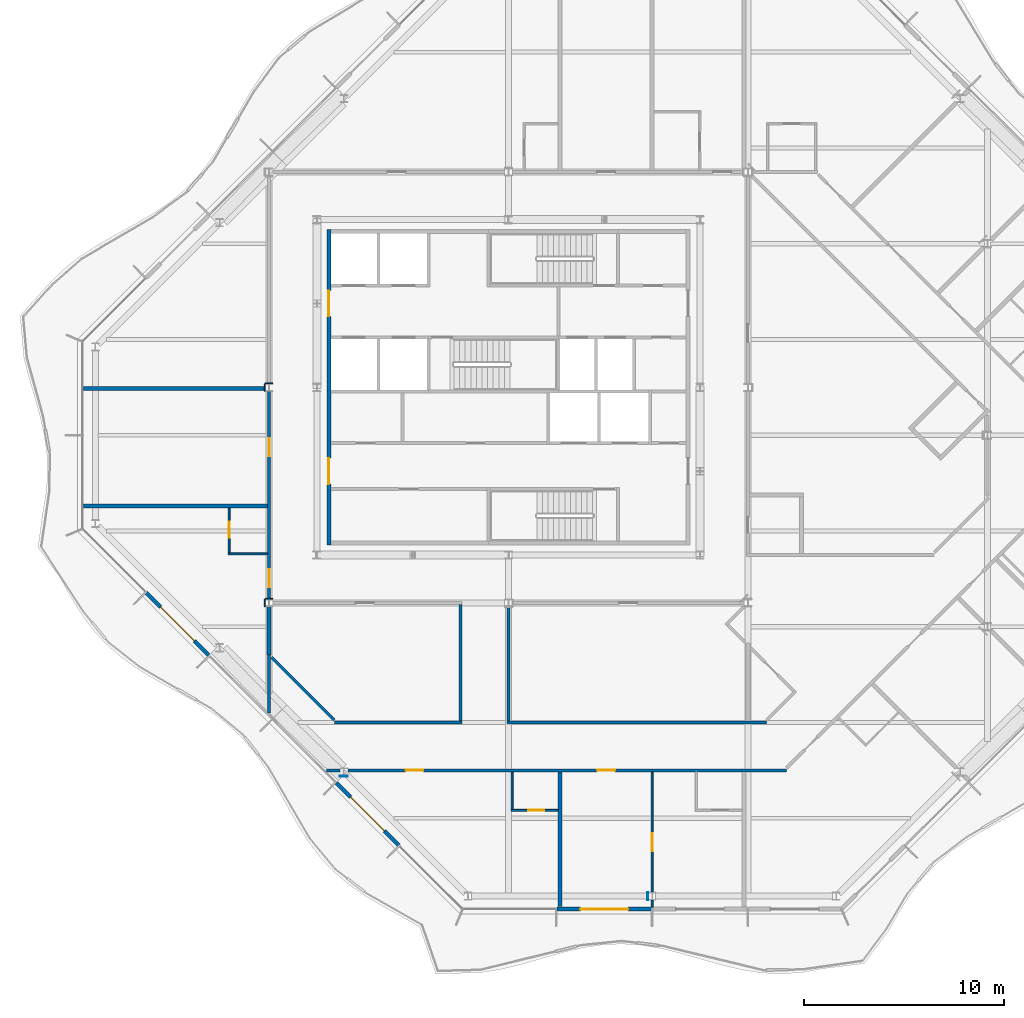
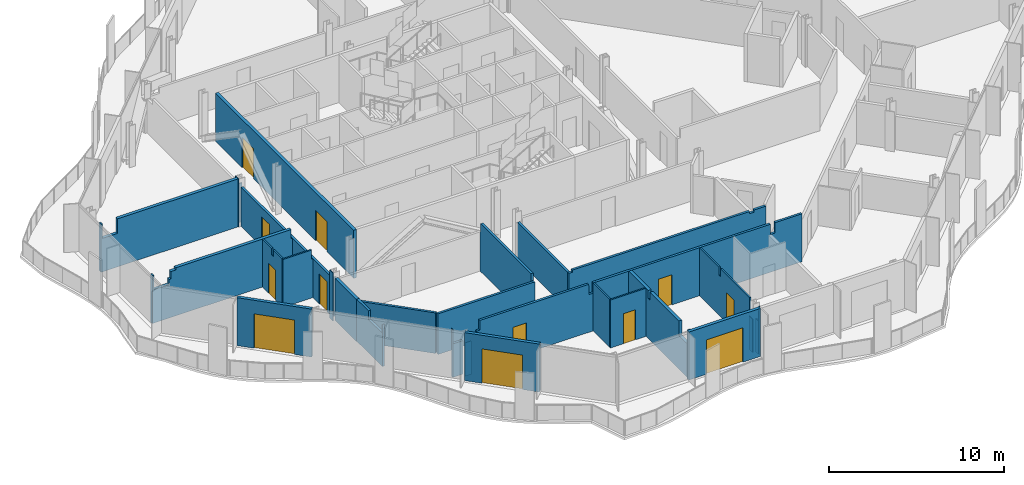
# One storey, part 7 of 17: 29 walls, 12 doors, 12 openings.
"""IFC4 building model written with IfcOpenShell, lengths in metres."""

from ifc_helpers import new_model, si_unit, direction, frame, frame_2d, origin, place, context, subcontext, project, spatial, polyline, rectangle, outline, extrude, material, layer, layer_set, type_object, element, fill, save


model = new_model("IFC4")

# Units and contexts
model_context = context("Model", 3, precision=1e-05, world=origin(), true_north=direction((0.0, 1.0)))
body_context = subcontext(model_context, "Body", "Model", "MODEL_VIEW")
ifc_project = project(units=[si_unit("LENGTHUNIT", "METRE"), si_unit("AREAUNIT", "SQUARE_METRE"), si_unit("VOLUMEUNIT", "CUBIC_METRE"), si_unit("PLANEANGLEUNIT", "RADIAN"), si_unit("MASSUNIT", "GRAM", prefix="KILO")], contexts=[model_context])

# Site, building, storey
site_placement = place(None, origin())
site = spatial("IfcSite", under=ifc_project, at=site_placement, CompositionType="ELEMENT")
building_placement = place(site_placement, origin())
building = spatial("IfcBuilding", under=site, at=building_placement, Name="Cairn Pilgrim Tower", CompositionType="ELEMENT")
storey_placement = place(building_placement, frame((0.0, 0.0, 257.39990234375)))
storey = spatial("IfcBuildingStorey", under=building, at=storey_placement, Name="L66", CompositionType="ELEMENT", Elevation=257.39990234375)

# Wall, opening, door
ifc_material_1 = material(Name="Bronze anodised aluminium insulated sandwich panel with mineral wool fill", Category="aluminium")
ifc_layer_1 = layer(ifc_material_1, 0.199951171875)
ifc_layer_set_1 = layer_set([ifc_layer_1], Name="BRONZE INFILL FRAME WALL 200")
wall_type_1 = type_object("IfcWallType", Name="BRONZE INFILL FRAME WALL 200", PredefinedType="NOTDEFINED", material=ifc_layer_set_1)
wall_1_placement = place(storey_placement, frame((9.6298828125, -23.75, 0.0), z_axis=(0.0, 0.0, 1.0), x_axis=(1.0, 0.0, 0.0)))
wall_1 = element("IfcWall", 1, at=wall_1_placement, inside=storey, type_object=wall_type_1, Name="Bronze infill frame wall IW-S2", PredefinedType="NOTDEFINED", context=body_context, shape_type="SweptSolid", body=[
    extrude(rectangle(XDim=4.740234375, YDim=0.199951171875, at=frame_2d((2.3701171875, 0.0))), origin(), (0.0, 0.0, 1.0), 3.35009765625),
])
opening_1_placement = place(wall_1_placement, frame((1.17041015625, 0.0, 0.0)))
opening_1 = element("IfcOpeningElement", 2, at=opening_1_placement, cuts=wall_1, Name="Opening 6615B", PredefinedType="OPENING", context=body_context, shape_type="SweptSolid", body=[
    extrude(rectangle(XDim=2.39990234375, YDim=2.39990234375, at=frame_2d((1.199951171875, 1.199951171875))), frame((0.0, 0.10986328125, 0.0), z_axis=(0.0, -1.0, 0.0), x_axis=(1.0, 0.0, 0.0)), (0.0, 0.0, 1.0), 0.219970703125),
])
ifc_material_2 = material(Name="Bronze anodised aluminium frame with tinted low-E glass", Category="aluminium")
door_type_1 = type_object("IfcDoorType", Name="BALCONY SLIDING DOOR 2400x2400", OperationType="DOUBLE_DOOR_SLIDING", PredefinedType="DOOR", material=ifc_material_2)
door_1_placement = place(opening_1_placement, origin())
door_1 = element("IfcDoor", 3, at=door_1_placement, inside=storey, type_object=door_type_1, Name="Balcony sliding door 6615B", OperationType="SINGLE_SWING_LEFT", OverallHeight=2.39990234375, OverallWidth=2.39990234375, PredefinedType="DOOR", context=body_context, shape_type="SweptSolid", body=[
    extrude(rectangle(XDim=2.39990234375, YDim=2.39990234375, at=frame_2d((1.199951171875, 1.199951171875))), frame((0.0, 0.02490234375, 0.0), z_axis=(0.0, -1.0, 0.0), x_axis=(1.0, 0.0, 0.0)), (0.0, 0.0, 1.0), 0.050048828125),
])
fill(opening_1, door_1)

wall_2_placement = place(storey_placement, frame((-10.953125, -7.893310546875, 0.0), z_axis=(0.0, 0.0, 1.0), x_axis=(0.707106781187, -0.707106781187, 0.0)))
wall_2 = element("IfcWall", 4, at=wall_2_placement, inside=storey, type_object=wall_type_1, Name="Bronze infill frame wall IW-SW2", PredefinedType="NOTDEFINED", context=body_context, shape_type="SweptSolid", body=[
    extrude(rectangle(XDim=4.430908203125, YDim=0.199951171875, at=frame_2d((2.21533203125, 0.0))), origin(), (0.0, 0.0, 1.0), 3.35009765625),
])
opening_2_placement = place(wall_2_placement, frame((1.015380859375, 0.0, 0.0)))
opening_2 = element("IfcOpeningElement", 5, at=opening_2_placement, cuts=wall_2, Name="Opening 6613B", PredefinedType="OPENING", context=body_context, shape_type="SweptSolid", body=[
    extrude(rectangle(XDim=2.39990234375, YDim=2.39990234375, at=frame_2d((1.199951171875, 1.199951171875))), frame((0.0, 0.10986328125, 0.0), z_axis=(0.0, -1.0, 0.0), x_axis=(1.0, 0.0, 0.0)), (0.0, 0.0, 1.0), 0.219970703125),
])
door_2_placement = place(opening_2_placement, origin())
door_2 = element("IfcDoor", 6, at=door_2_placement, inside=storey, type_object=door_type_1, Name="Balcony sliding door 6613B", OperationType="SINGLE_SWING_LEFT", OverallHeight=2.39990234375, OverallWidth=2.39990234375, PredefinedType="DOOR", context=body_context, shape_type="SweptSolid", body=[
    extrude(rectangle(XDim=2.39990234375, YDim=2.39990234375, at=frame_2d((1.199951171875, 1.199951171875))), frame((0.0, 0.02490234375, 0.0), z_axis=(0.0, -1.0, 0.0), x_axis=(1.0, 0.0, 0.0)), (0.0, 0.0, 1.0), 0.050048828125),
])
fill(opening_2, door_2)

wall_3_placement = place(storey_placement, frame((-1.426513671875, -17.419921875, 0.0), z_axis=(0.0, 0.0, 1.0), x_axis=(0.707106781187, -0.707106781187, 0.0)))
wall_3 = element("IfcWall", 7, at=wall_3_placement, inside=storey, type_object=wall_type_1, Name="Bronze infill frame wall IW-SW5", PredefinedType="NOTDEFINED", context=body_context, shape_type="SweptSolid", body=[
    extrude(rectangle(XDim=4.43115234375, YDim=0.199951171875, at=frame_2d((2.215576171875, 0.0))), origin(), (0.0, 0.0, 1.0), 3.35009765625),
])
opening_3_placement = place(wall_3_placement, frame((1.01513671875, 0.0, 0.0)))
opening_3 = element("IfcOpeningElement", 8, at=opening_3_placement, cuts=wall_3, Name="Opening 6614B", PredefinedType="OPENING", context=body_context, shape_type="SweptSolid", body=[
    extrude(rectangle(XDim=2.39990234375, YDim=2.39990234375, at=frame_2d((1.199951171875, 1.199951171875))), frame((0.0, 0.10986328125, 0.0), z_axis=(0.0, -1.0, 0.0), x_axis=(1.0, 0.0, 0.0)), (0.0, 0.0, 1.0), 0.219970703125),
])
door_3_placement = place(opening_3_placement, origin())
door_3 = element("IfcDoor", 9, at=door_3_placement, inside=storey, type_object=door_type_1, Name="Balcony sliding door 6614B", OperationType="SINGLE_SWING_LEFT", OverallHeight=2.39990234375, OverallWidth=2.39990234375, PredefinedType="DOOR", context=body_context, shape_type="SweptSolid", body=[
    extrude(rectangle(XDim=2.39990234375, YDim=2.39990234375, at=frame_2d((1.199951171875, 1.199951171875))), frame((0.0, 0.02490234375, 0.0), z_axis=(0.0, -1.0, 0.0), x_axis=(1.0, 0.0, 0.0)), (0.0, 0.0, 1.0), 0.050048828125),
])
fill(opening_3, door_3)

# Wall, openings, doors
ifc_material_3 = material(Name="Concrete C32/40", Category="concrete")
ifc_layer_2 = layer(ifc_material_3, 0.199951171875)
ifc_layer_set_2 = layer_set([ifc_layer_2], Name="CORE OUTER WALL 200 EI 120")
wall_type_2 = type_object("IfcWallType", Name="CORE OUTER WALL 200 EI 120", PredefinedType="SOLIDWALL", material=ifc_layer_set_2)
wall_4_placement = place(storey_placement, frame((-1.800048828125, -5.5, 0.0), z_axis=(0.0, 0.0, 1.0), x_axis=(0.0, 1.0, 0.0)))
wall_4 = element("IfcWall", 10, at=wall_4_placement, inside=storey, type_object=wall_type_2, Name="CW:L66:V13", PredefinedType="SOLIDWALL", context=body_context, shape_type="SweptSolid", body=[
    extrude(rectangle(XDim=15.800048828125, YDim=0.199951171875, at=frame_2d((7.89990234375, 0.0))), origin(), (0.0, 0.0, 1.0), 3.35009765625),
])
opening_4_placement = place(wall_4_placement, frame((3.050048828125, 0.0, 0.0)))
opening_4 = element("IfcOpeningElement", 11, at=opening_4_placement, cuts=wall_4, Name="Opening CD-W1", PredefinedType="OPENING", context=body_context, shape_type="SweptSolid", body=[
    extrude(rectangle(XDim=1.300048828125, YDim=2.10009765625, at=frame_2d((0.64990234375, 1.050048828125))), frame((0.0, 0.10986328125, 0.0), z_axis=(0.0, -1.0, 0.0), x_axis=(1.0, 0.0, 0.0)), (0.0, 0.0, 1.0), 0.219970703125),
])
opening_5_placement = place(wall_4_placement, frame((11.449951171875, 0.0, 0.0)))
opening_5 = element("IfcOpeningElement", 12, at=opening_5_placement, cuts=wall_4, Name="Opening CD-W2", PredefinedType="OPENING", context=body_context, shape_type="SweptSolid", body=[
    extrude(rectangle(XDim=1.300048828125, YDim=2.10009765625, at=frame_2d((0.64990234375, 1.050048828125))), frame((0.0, 0.10986328125, 0.0), z_axis=(0.0, -1.0, 0.0), x_axis=(1.0, 0.0, 0.0)), (0.0, 0.0, 1.0), 0.219970703125),
])
ifc_material_4 = material(Name="Painted steel", Category="steel")
door_type_2 = type_object("IfcDoorType", Name="CORE LOBBY DOOR 1300x2100", OperationType="DOUBLE_DOOR_SINGLE_SWING", PredefinedType="DOOR", material=ifc_material_4)
door_4_placement = place(opening_4_placement, origin())
door_4 = element("IfcDoor", 13, at=door_4_placement, inside=storey, type_object=door_type_2, Name="CD-W1", OperationType="DOUBLE_DOOR_SINGLE_SWING", OverallHeight=2.10009765625, OverallWidth=1.300048828125, PredefinedType="DOOR", context=body_context, shape_type="SweptSolid", body=[
    extrude(rectangle(XDim=1.300048828125, YDim=2.10009765625, at=frame_2d((0.64990234375, 1.050048828125))), frame((0.0, 0.02490234375, 0.0), z_axis=(0.0, -1.0, 0.0), x_axis=(1.0, 0.0, 0.0)), (0.0, 0.0, 1.0), 0.050048828125),
])
fill(opening_4, door_4)
door_5_placement = place(opening_5_placement, origin())
door_5 = element("IfcDoor", 14, at=door_5_placement, inside=storey, type_object=door_type_2, Name="CD-W2", OperationType="DOUBLE_DOOR_SINGLE_SWING", OverallHeight=2.10009765625, OverallWidth=1.300048828125, PredefinedType="DOOR", context=body_context, shape_type="SweptSolid", body=[
    extrude(rectangle(XDim=1.300048828125, YDim=2.10009765625, at=frame_2d((0.64990234375, 1.050048828125))), frame((0.0, 0.02490234375, 0.0), z_axis=(0.0, -1.0, 0.0), x_axis=(1.0, 0.0, 0.0)), (0.0, 0.0, 1.0), 0.050048828125),
])
fill(opening_5, door_5)

# Wall
ifc_material_5 = material(Name="Gypsum partition")
ifc_layer_3 = layer(ifc_material_5, 0.10009765625)
ifc_layer_set_3 = layer_set([ifc_layer_3], Name="PARTITION 100 DRYWALL")
wall_type_3 = type_object("IfcWallType", Name="PARTITION 100 DRYWALL", PredefinedType="PARTITIONING", material=ifc_layer_set_3)
wall_5_placement = place(storey_placement, frame((14.39990234375, -23.64990234375, 0.0), z_axis=(0.0, 0.0, 1.0), x_axis=(0.0, 1.0, 0.0)))
element("IfcWall", 15, at=wall_5_placement, inside=storey, type_object=wall_type_3, Name="PARTITION W001", PredefinedType="PARTITIONING", context=body_context, shape_type="SweptSolid", body=[
    extrude(outline(polyline([(0.0, 0.0), (0.346435546875, 0.0), (0.346435546875, 2.330078125), (0.050048828125, 2.330078125), (0.048095703125, 3.35009765625), (0.0, 3.35009765625), (0.0, 0.0)])), frame((0.0, 0.050048828125, 0.0), z_axis=(0.0, -1.0, 0.0), x_axis=(1.0, 0.0, 0.0)), (0.0, 0.0, 1.0), 0.10009765625),
])

# Wall, opening, door
wall_6_placement = place(storey_placement, frame((14.39990234375, -22.896484375, 0.0), z_axis=(0.0, 0.0, 1.0), x_axis=(0.0, 1.0, 0.0)))
wall_6 = element("IfcWall", 16, at=wall_6_placement, inside=storey, type_object=wall_type_3, Name="PARTITION W004", PredefinedType="PARTITIONING", context=body_context, shape_type="SweptSolid", body=[
    extrude(outline(polyline([(0.0, 0.0), (6.021484375, 0.0), (6.021484375, 3.35009765625), (3.801513671875, 3.35009765625), (3.799560546875, 2.780029296875), (3.591552734375, 2.780029296875), (3.589599609375, 3.35009765625), (0.29638671875, 3.35009765625), (0.29443359375, 2.330078125), (0.0, 2.330078125), (0.0, 0.0)])), frame((0.0, 0.050048828125, 0.0), z_axis=(0.0, -1.0, 0.0), x_axis=(1.0, 0.0, 0.0)), (0.0, 0.0, 1.0), 0.10009765625),
])
opening_6_placement = place(wall_6_placement, frame((2.04638671875, 0.0, 0.0)))
opening_6 = element("IfcOpeningElement", 17, at=opening_6_placement, cuts=wall_6, Name="Opening 6615C", PredefinedType="OPENING", context=body_context, shape_type="SweptSolid", body=[
    extrude(rectangle(XDim=0.89990234375, YDim=2.10009765625, at=frame_2d((0.449951171875, 1.050048828125))), frame((0.0, 0.06005859375, 0.0), z_axis=(0.0, -1.0, 0.0), x_axis=(1.0, 0.0, 0.0)), (0.0, 0.0, 1.0), 0.1201171875),
])
ifc_material_6 = material(Name="Timber door leaf", Category="wood")
door_type_3 = type_object("IfcDoorType", Name="SERVICE DOOR 900x2100", OperationType="NOTDEFINED", PredefinedType="DOOR", material=ifc_material_6)
door_6_placement = place(opening_6_placement, origin())
door_6 = element("IfcDoor", 18, at=door_6_placement, inside=storey, type_object=door_type_3, Name="DOOR 6615C", OperationType="SINGLE_SWING_LEFT", OverallHeight=2.10009765625, OverallWidth=0.89990234375, PredefinedType="DOOR", context=body_context, shape_type="SweptSolid", body=[
    extrude(rectangle(XDim=0.89990234375, YDim=2.10009765625, at=frame_2d((0.449951171875, 1.050048828125))), frame((0.0, 0.02490234375, 0.0), z_axis=(0.0, -1.0, 0.0), x_axis=(1.0, 0.0, 0.0)), (0.0, 0.0, 1.0), 0.050048828125),
])
fill(opening_6, door_6)

wall_7_placement = place(storey_placement, frame((7.3359375, -18.800048828125, 0.0), z_axis=(0.0, 0.0, 1.0), x_axis=(1.0, 0.0, 0.0)))
wall_7 = element("IfcWall", 19, at=wall_7_placement, inside=storey, type_object=wall_type_3, Name="PARTITION W005", PredefinedType="PARTITIONING", context=body_context, shape_type="SweptSolid", body=[
    extrude(outline(polyline([(0.0, 0.0), (2.35009765625, 0.0), (2.35009765625, 3.35009765625), (0.013916015625, 3.35009765625), (0.011962890625, 2.630126953125), (0.0, 2.630126953125), (0.0, 0.0)])), frame((0.0, 0.050048828125, 0.0), z_axis=(0.0, -1.0, 0.0), x_axis=(1.0, 0.0, 0.0)), (0.0, 0.0, 1.0), 0.10009765625),
])
opening_7_placement = place(wall_7_placement, frame((0.85009765625, 0.0, 0.0)))
opening_7 = element("IfcOpeningElement", 20, at=opening_7_placement, cuts=wall_7, Name="Opening 6614A", PredefinedType="OPENING", context=body_context, shape_type="SweptSolid", body=[
    extrude(rectangle(XDim=0.800048828125, YDim=2.10009765625, at=frame_2d((0.39990234375, 1.050048828125))), frame((0.0, 0.06005859375, 0.0), z_axis=(0.0, -1.0, 0.0), x_axis=(1.0, 0.0, 0.0)), (0.0, 0.0, 1.0), 0.1201171875),
])
door_type_4 = type_object("IfcDoorType", Name="WC DOOR 800x2100", OperationType="NOTDEFINED", PredefinedType="DOOR", material=ifc_material_6)
door_7_placement = place(opening_7_placement, frame((0.800048828125, 0.0, 0.0), z_axis=(0.0, 0.0, 1.0), x_axis=(-1.0, 0.0, 0.0)))
door_7 = element("IfcDoor", 21, at=door_7_placement, inside=storey, type_object=door_type_4, Name="DOOR 6614A", OperationType="SINGLE_SWING_LEFT", OverallHeight=2.10009765625, OverallWidth=0.800048828125, PredefinedType="DOOR", context=body_context, shape_type="SweptSolid", body=[
    extrude(rectangle(XDim=0.800048828125, YDim=2.10009765625, at=frame_2d((0.39990234375, 1.050048828125))), frame((0.0, 0.02490234375, 0.0), z_axis=(0.0, -1.0, 0.0), x_axis=(1.0, 0.0, 0.0)), (0.0, 0.0, 1.0), 0.050048828125),
])
fill(opening_7, door_7)

# Walls
wall_8_placement = place(storey_placement, frame((7.385986328125, -18.75, 0.0), z_axis=(0.0, 0.0, 1.0), x_axis=(0.0, 1.0, 0.0)))
element("IfcWall", 22, at=wall_8_placement, inside=storey, type_object=wall_type_3, Name="PARTITION W006", PredefinedType="PARTITIONING", context=body_context, shape_type="SweptSolid", body=[
    extrude(rectangle(XDim=1.875, YDim=0.10009765625, at=frame_2d((0.9375, 0.0))), origin(), (0.0, 0.0, 1.0), 3.35009765625),
])
wall_9_placement = place(storey_placement, frame((-6.85009765625, -5.944091796875, 0.0), z_axis=(0.0, 0.0, 1.0), x_axis=(1.0, 0.0, 0.0)))
element("IfcWall", 23, at=wall_9_placement, inside=storey, type_object=wall_type_3, Name="PARTITION W038", PredefinedType="PARTITIONING", context=body_context, shape_type="SweptSolid", body=[
    extrude(outline(polyline([(0.0, 0.0), (1.97509765625, 0.0), (1.97509765625, 2.72998046875), (1.89990234375, 2.72998046875), (1.89794921875, 3.35009765625), (0.0, 3.35009765625), (0.0, 0.0)])), frame((0.0, 0.050048828125, 0.0), z_axis=(0.0, -1.0, 0.0), x_axis=(1.0, 0.0, 0.0)), (0.0, 0.0, 1.0), 0.10009765625),
])

# Wall, opening, door
wall_10_placement = place(storey_placement, frame((-6.800048828125, -5.89404296875, 0.0), z_axis=(0.0, 0.0, 1.0), x_axis=(0.0, 1.0, 0.0)))
wall_10 = element("IfcWall", 24, at=wall_10_placement, inside=storey, type_object=wall_type_3, Name="PARTITION W039", PredefinedType="PARTITIONING", context=body_context, shape_type="SweptSolid", body=[
    extrude(outline(polyline([(0.0, 0.0), (2.25, 0.0), (2.25, 3.35009765625), (1.18896484375, 3.35009765625), (1.18701171875, 2.880126953125), (0.9990234375, 2.880126953125), (0.9970703125, 3.35009765625), (0.0, 3.35009765625), (0.0, 0.0)])), frame((0.0, 0.050048828125, 0.0), z_axis=(0.0, -1.0, 0.0), x_axis=(1.0, 0.0, 0.0)), (0.0, 0.0, 1.0), 0.10009765625),
])
opening_8_placement = place(wall_10_placement, frame((0.75, 0.0, 0.0)))
opening_8 = element("IfcOpeningElement", 25, at=opening_8_placement, cuts=wall_10, Name="Opening 6613A", PredefinedType="OPENING", context=body_context, shape_type="SweptSolid", body=[
    extrude(rectangle(XDim=0.800048828125, YDim=2.10009765625, at=frame_2d((0.39990234375, 1.050048828125))), frame((0.0, 0.06005859375, 0.0), z_axis=(0.0, -1.0, 0.0), x_axis=(1.0, 0.0, 0.0)), (0.0, 0.0, 1.0), 0.1201171875),
])
door_8_placement = place(opening_8_placement, origin())
door_8 = element("IfcDoor", 26, at=door_8_placement, inside=storey, type_object=door_type_4, Name="DOOR 6613A", OperationType="SINGLE_SWING_LEFT", OverallHeight=2.10009765625, OverallWidth=0.800048828125, PredefinedType="DOOR", context=body_context, shape_type="SweptSolid", body=[
    extrude(rectangle(XDim=0.800048828125, YDim=2.10009765625, at=frame_2d((0.39990234375, 1.050048828125))), frame((0.0, 0.02490234375, 0.0), z_axis=(0.0, -1.0, 0.0), x_axis=(1.0, 0.0, 0.0)), (0.0, 0.0, 1.0), 0.050048828125),
])
fill(opening_8, door_8)

# Wall
ifc_layer_4 = layer(ifc_material_5, 0.14990234375)
ifc_layer_set_4 = layer_set([ifc_layer_4], Name="PARTITION 150 DRYWALL EI 60")
wall_type_4 = type_object("IfcWallType", Name="PARTITION 150 DRYWALL EI 60", PredefinedType="PARTITIONING", material=ifc_layer_set_4)
wall_11_placement = place(storey_placement, frame((-1.926025390625, -16.800048828125, 0.0), z_axis=(0.0, 0.0, 1.0), x_axis=(1.0, 0.0, 0.0)))
element("IfcWall", 27, at=wall_11_placement, inside=storey, type_object=wall_type_4, Name="PARTITION W010", PredefinedType="PARTITIONING", context=body_context, shape_type="SweptSolid", body=[
    extrude(outline(polyline([(0.0, 0.0), (0.672607421875, 0.0), (0.672607421875, 2.330078125), (0.016845703125, 2.330078125), (0.014892578125, 3.35009765625), (0.0, 3.35009765625), (0.0, 0.0)])), frame((0.0, 0.074951171875, 0.0), z_axis=(0.0, -1.0, 0.0), x_axis=(1.0, 0.0, 0.0)), (0.0, 0.0, 1.0), 0.14990234375),
])

# Wall, openings, doors
wall_12_placement = place(storey_placement, frame((-0.849609375, -16.800048828125, 0.0), z_axis=(0.0, 0.0, 1.0), x_axis=(1.0, 0.0, 0.0)))
wall_12 = element("IfcWall", 28, at=wall_12_placement, inside=storey, type_object=wall_type_4, Name="PARTITION W011", PredefinedType="PARTITIONING", context=body_context, shape_type="SweptSolid", body=[
    extrude(outline(polyline([(0.0, 0.0), (21.9736328125, 0.0), (21.9736328125, 3.35009765625), (20.199462890625, 3.35009765625), (20.197509765625, 2.630126953125), (19.8994140625, 2.630126953125), (19.8974609375, 3.35009765625), (8.199462890625, 3.35009765625), (8.197509765625, 2.630126953125), (7.8994140625, 2.630126953125), (7.8974609375, 3.35009765625), (0.7119140625, 3.35009765625), (0.7099609375, 2.67431640625), (0.50439453125, 2.67431640625), (0.50244140625, 2.330078125), (0.0, 2.330078125), (0.0, 0.0)])), frame((0.0, 0.074951171875, 0.0), z_axis=(0.0, -1.0, 0.0), x_axis=(1.0, 0.0, 0.0)), (0.0, 0.0, 1.0), 0.14990234375),
])
opening_9_placement = place(wall_12_placement, frame((2.892578125, 0.0, 0.0)))
opening_9 = element("IfcOpeningElement", 29, at=opening_9_placement, cuts=wall_12, Name="Opening 6614", PredefinedType="OPENING", context=body_context, shape_type="SweptSolid", body=[
    extrude(rectangle(XDim=0.89990234375, YDim=2.10009765625, at=frame_2d((0.449951171875, 1.050048828125))), frame((0.0, 0.0849609375, 0.0), z_axis=(0.0, -1.0, 0.0), x_axis=(1.0, 0.0, 0.0)), (0.0, 0.0, 1.0), 0.169921875),
])
opening_10_placement = place(wall_12_placement, frame((12.492431640625, 0.0, 0.0)))
opening_10 = element("IfcOpeningElement", 30, at=opening_10_placement, cuts=wall_12, Name="Opening 6615", PredefinedType="OPENING", context=body_context, shape_type="SweptSolid", body=[
    extrude(rectangle(XDim=0.89990234375, YDim=2.10009765625, at=frame_2d((0.449951171875, 1.050048828125))), frame((0.0, 0.0849609375, 0.0), z_axis=(0.0, -1.0, 0.0), x_axis=(1.0, 0.0, 0.0)), (0.0, 0.0, 1.0), 0.169921875),
])
door_type_5 = type_object("IfcDoorType", Name="ROOM DOOR 900x2100 FD30S", OperationType="NOTDEFINED", PredefinedType="DOOR", material=ifc_material_6)
door_9_placement = place(opening_9_placement, frame((0.89990234375, 0.0, 0.0), z_axis=(0.0, 0.0, 1.0), x_axis=(-1.0, 0.0, 0.0)))
door_9 = element("IfcDoor", 31, at=door_9_placement, inside=storey, type_object=door_type_5, Name="DOOR 6614", OperationType="SINGLE_SWING_LEFT", OverallHeight=2.10009765625, OverallWidth=0.89990234375, PredefinedType="DOOR", context=body_context, shape_type="SweptSolid", body=[
    extrude(rectangle(XDim=0.89990234375, YDim=2.10009765625, at=frame_2d((0.449951171875, 1.050048828125))), frame((0.0, 0.02490234375, 0.0), z_axis=(0.0, -1.0, 0.0), x_axis=(1.0, 0.0, 0.0)), (0.0, 0.0, 1.0), 0.050048828125),
])
fill(opening_9, door_9)
door_10_placement = place(opening_10_placement, frame((0.89990234375, 0.0, 0.0), z_axis=(0.0, 0.0, 1.0), x_axis=(-1.0, 0.0, 0.0)))
door_10 = element("IfcDoor", 32, at=door_10_placement, inside=storey, type_object=door_type_5, Name="DOOR 6615", OperationType="SINGLE_SWING_LEFT", OverallHeight=2.10009765625, OverallWidth=0.89990234375, PredefinedType="DOOR", context=body_context, shape_type="SweptSolid", body=[
    extrude(rectangle(XDim=0.89990234375, YDim=2.10009765625, at=frame_2d((0.449951171875, 1.050048828125))), frame((0.0, 0.02490234375, 0.0), z_axis=(0.0, -1.0, 0.0), x_axis=(1.0, 0.0, 0.0)), (0.0, 0.0, 1.0), 0.050048828125),
])
fill(opening_10, door_10)

# Walls
wall_13_placement = place(storey_placement, frame((-1.51220703125, -14.39990234375, 0.0), z_axis=(0.0, 0.0, 1.0), x_axis=(1.0, 0.0, 0.0)))
element("IfcWall", 33, at=wall_13_placement, inside=storey, type_object=wall_type_4, Name="PARTITION W016", PredefinedType="PARTITIONING", context=body_context, shape_type="SweptSolid", body=[
    extrude(rectangle(XDim=6.38720703125, YDim=0.14990234375, at=frame_2d((3.193603515625, 0.0))), origin(), (0.0, 0.0, 1.0), 2.830078125),
])
wall_14_placement = place(storey_placement, frame((7.125, -14.39990234375, 0.0), z_axis=(0.0, 0.0, 1.0), x_axis=(1.0, 0.0, 0.0)))
element("IfcWall", 34, at=wall_14_placement, inside=storey, type_object=wall_type_4, Name="PARTITION W017", PredefinedType="PARTITIONING", context=body_context, shape_type="SweptSolid", body=[
    extrude(outline(polyline([(0.0, 0.0), (13.004150390625, 0.0), (13.004150390625, 2.780029296875), (12.22509765625, 2.780029296875), (12.222900390625, 2.630126953125), (11.925048828125, 2.630126953125), (11.923095703125, 2.780029296875), (0.22509765625, 2.780029296875), (0.222900390625, 2.630126953125), (0.0, 2.630126953125), (0.0, 0.0)])), frame((0.0, 0.074951171875, 0.0), z_axis=(0.0, -1.0, 0.0), x_axis=(1.0, 0.0, 0.0)), (0.0, 0.0, 1.0), 0.14990234375),
])
wall_15_placement = place(storey_placement, frame((-1.533935546875, -14.27197265625, 0.0), z_axis=(0.0, 0.0, 1.0), x_axis=(-0.707134287042, 0.707079274261, 0.0)))
element("IfcWall", 35, at=wall_15_placement, inside=storey, type_object=wall_type_4, Name="PARTITION W018", PredefinedType="PARTITIONING", context=body_context, shape_type="SweptSolid", body=[
    extrude(rectangle(XDim=4.43798828125, YDim=0.14990234375, at=frame_2d((2.218994140625, 0.0))), origin(), (0.0, 0.0, 1.0), 2.830078125),
])
wall_16_placement = place(storey_placement, frame((4.800048828125, -14.324951171875, 0.0), z_axis=(0.0, 0.0, 1.0), x_axis=(0.0, 1.0, 0.0)))
element("IfcWall", 36, at=wall_16_placement, inside=storey, type_object=wall_type_4, Name="PARTITION W019", PredefinedType="PARTITIONING", context=body_context, shape_type="SweptSolid", body=[
    extrude(outline(polyline([(0.0, 0.0), (5.849853515625, 0.0), (5.85009765625, 2.72998046875), (5.77490234375, 2.72998046875), (5.77294921875, 3.35009765625), (0.02490234375, 3.35009765625), (0.02294921875, 2.830078125), (0.0, 2.830078125), (0.0, 0.0)])), frame((0.0, 0.074951171875, 0.0), z_axis=(0.0, -1.0, 0.0), x_axis=(1.0, 0.0, 0.0)), (0.0, 0.0, 1.0), 0.14990234375),
])
wall_17_placement = place(storey_placement, frame((7.199951171875, -14.324951171875, 0.0), z_axis=(0.0, 0.0, 1.0), x_axis=(0.0, 1.0, 0.0)))
element("IfcWall", 37, at=wall_17_placement, inside=storey, type_object=wall_type_4, Name="PARTITION W020", PredefinedType="PARTITIONING", context=body_context, shape_type="SweptSolid", body=[
    extrude(rectangle(XDim=5.737548828125, YDim=0.14990234375, at=frame_2d((2.86865234375, 0.0))), origin(), (0.0, 0.0, 1.0), 2.630126953125),
])
wall_18_placement = place(storey_placement, frame((-4.800048828125, -13.926025390625, 0.0), z_axis=(0.0, 0.0, 1.0), x_axis=(0.0, 1.0, 0.0)))
element("IfcWall", 38, at=wall_18_placement, inside=storey, type_object=wall_type_4, Name="PARTITION W023", PredefinedType="PARTITIONING", context=body_context, shape_type="SweptSolid", body=[
    extrude(outline(polyline([(0.0, 0.0), (2.919921875, 0.0), (2.920166015625, 2.93017578125), (1.5810546875, 2.93017578125), (1.5791015625, 2.330078125), (0.016845703125, 2.330078125), (0.014892578125, 2.93017578125), (0.0, 2.93017578125), (0.0, 0.0)])), frame((0.0, 0.074951171875, 0.0), z_axis=(0.0, -1.0, 0.0), x_axis=(1.0, 0.0, 0.0)), (0.0, 0.0, 1.0), 0.14990234375),
])

# Wall, openings, doors
wall_19_placement = place(storey_placement, frame((-4.800048828125, -8.21240234375, 0.0), z_axis=(0.0, 0.0, 1.0), x_axis=(0.0, 1.0, 0.0)))
wall_19 = element("IfcWall", 39, at=wall_19_placement, inside=storey, type_object=wall_type_4, Name="PARTITION W034", PredefinedType="PARTITIONING", context=body_context, shape_type="SweptSolid", body=[
    extrude(rectangle(XDim=10.4248046875, YDim=0.14990234375, at=frame_2d((5.21240234375, 0.0))), origin(), (0.0, 0.0, 1.0), 2.72998046875),
])
opening_11_placement = place(wall_19_placement, frame((7.16259765625, 0.0, 0.0)))
opening_11 = element("IfcOpeningElement", 40, at=opening_11_placement, cuts=wall_19, Name="Opening 6612", PredefinedType="OPENING", context=body_context, shape_type="SweptSolid", body=[
    extrude(rectangle(XDim=0.89990234375, YDim=2.10009765625, at=frame_2d((0.449951171875, 1.050048828125))), frame((0.0, 0.0849609375, 0.0), z_axis=(0.0, -1.0, 0.0), x_axis=(1.0, 0.0, 0.0)), (0.0, 0.0, 1.0), 0.169921875),
])
opening_12_placement = place(wall_19_placement, frame((0.590576171875, 0.0, 0.0)))
opening_12 = element("IfcOpeningElement", 41, at=opening_12_placement, cuts=wall_19, Name="Opening 6613", PredefinedType="OPENING", context=body_context, shape_type="SweptSolid", body=[
    extrude(rectangle(XDim=0.89990234375, YDim=2.10009765625, at=frame_2d((0.449951171875, 1.050048828125))), frame((0.0, 0.0849609375, 0.0), z_axis=(0.0, -1.0, 0.0), x_axis=(1.0, 0.0, 0.0)), (0.0, 0.0, 1.0), 0.169921875),
])
door_11_placement = place(opening_12_placement, origin())
door_11 = element("IfcDoor", 42, at=door_11_placement, inside=storey, type_object=door_type_5, Name="DOOR 6613", OperationType="SINGLE_SWING_LEFT", OverallHeight=2.10009765625, OverallWidth=0.89990234375, PredefinedType="DOOR", context=body_context, shape_type="SweptSolid", body=[
    extrude(rectangle(XDim=0.89990234375, YDim=2.10009765625, at=frame_2d((0.449951171875, 1.050048828125))), frame((0.0, 0.02490234375, 0.0), z_axis=(0.0, -1.0, 0.0), x_axis=(1.0, 0.0, 0.0)), (0.0, 0.0, 1.0), 0.050048828125),
])
fill(opening_12, door_11)
door_type_6 = type_object("IfcDoorType", Name="SERVICE DOOR 900x2100 FD30S", OperationType="NOTDEFINED", PredefinedType="DOOR", material=ifc_material_6)
door_12_placement = place(opening_11_placement, origin())
door_12 = element("IfcDoor", 43, at=door_12_placement, inside=storey, type_object=door_type_6, Name="DOOR 6612", OperationType="SINGLE_SWING_LEFT", OverallHeight=2.10009765625, OverallWidth=0.89990234375, PredefinedType="DOOR", context=body_context, shape_type="SweptSolid", body=[
    extrude(rectangle(XDim=0.89990234375, YDim=2.10009765625, at=frame_2d((0.449951171875, 1.050048828125))), frame((0.0, 0.02490234375, 0.0), z_axis=(0.0, -1.0, 0.0), x_axis=(1.0, 0.0, 0.0)), (0.0, 0.0, 1.0), 0.050048828125),
])
fill(opening_11, door_12)

# Walls
ifc_layer_5 = layer(ifc_material_5, 0.050048828125)
ifc_layer_set_5 = layer_set([ifc_layer_5], Name="PARTITION 50 DRYWALL")
wall_type_5 = type_object("IfcWallType", Name="PARTITION 50 DRYWALL", PredefinedType="PARTITIONING", material=ifc_layer_set_5)
wall_20_placement = place(storey_placement, frame((14.173095703125, -23.303466796875, 0.0), z_axis=(0.0, 0.0, 1.0), x_axis=(0.0, 1.0, 0.0)))
element("IfcWall", 44, at=wall_20_placement, inside=storey, type_object=wall_type_5, Name="COLUMN CASING WC01", PredefinedType="PARTITIONING", context=body_context, shape_type="SweptSolid", body=[
    extrude(rectangle(XDim=0.406982421875, YDim=0.050048828125, at=frame_2d((0.20361328125, 0.0))), origin(), (0.0, 0.0, 1.0), 2.330078125),
])
ifc_layer_6 = layer(ifc_material_5, 0.050048828125)
ifc_layer_set_6 = layer_set([ifc_layer_6], Name="PARTITION 50 DRYWALL EI 60")
wall_type_6 = type_object("IfcWallType", Name="PARTITION 50 DRYWALL EI 60", PredefinedType="PARTITIONING", material=ifc_layer_set_6)
wall_21_placement = place(storey_placement, frame((-1.25341796875, -17.104248046875, 0.0), z_axis=(0.0, 0.0, 1.0), x_axis=(1.0, 0.0, 0.0)))
element("IfcWall", 45, at=wall_21_placement, inside=storey, type_object=wall_type_6, Name="COLUMN CASING WC03", PredefinedType="PARTITIONING", context=body_context, shape_type="SweptSolid", body=[
    extrude(rectangle(XDim=0.40380859375, YDim=0.050048828125, at=frame_2d((0.201904296875, 0.0))), origin(), (0.0, 0.0, 1.0), 2.330078125),
])
for number, where, z_axis, x_axis, name in (
    (46, (-5.02197265625, -8.58740234375, 0.0), (0.0, 0.0, 1.0), (0.0, 1.0, 0.0), "COLUMN CASING WC07"),
    (47, (-5.02197265625, 2.21240234375, 0.0), (0.0, 0.0, 1.0), (0.0, 1.0, 0.0), "COLUMN CASING WC09"),
):
    element("IfcWall", number, at=place(storey_placement, frame(where, z_axis=z_axis, x_axis=x_axis)), inside=storey, type_object=wall_type_6, Name=name, PredefinedType="PARTITIONING", context=body_context, shape_type="SweptSolid", body=[
        extrude(rectangle(XDim=0.375, YDim=0.050048828125, at=frame_2d((0.1875, 0.0))), origin(), (0.0, 0.0, 1.0), 3.35009765625),
    ])
for number, where, z_axis, x_axis, name in (
    (48, (-4.9970703125, -8.1875, 0.0), (0.0, 0.0, 1.0), (1.0, 0.0, 0.0), "COLUMN CASING WC11"),
    (49, (-4.9970703125, 2.612548828125, 0.0), (0.0, 0.0, 1.0), (1.0, 0.0, 0.0), "COLUMN CASING WC18"),
):
    element("IfcWall", number, at=place(storey_placement, frame(where, z_axis=z_axis, x_axis=x_axis)), inside=storey, type_object=wall_type_6, Name=name, PredefinedType="PARTITIONING", context=body_context, shape_type="SweptSolid", body=[
        extrude(rectangle(XDim=0.39404296875, YDim=0.050048828125, at=frame_2d((0.197021484375, 0.0))), origin(), (0.0, 0.0, 1.0), 2.72998046875),
    ])
ifc_layer_7 = layer(ifc_material_5, 0.199951171875)
ifc_layer_set_7 = layer_set([ifc_layer_7], Name="SHAFT WALL 200 GYPSUM EI 60")
wall_type_7 = type_object("IfcWallType", Name="SHAFT WALL 200 GYPSUM EI 60", PredefinedType="PARTITIONING", material=ifc_layer_set_7)
wall_22_placement = place(storey_placement, frame((9.785888671875, -23.6201171875, 0.0), z_axis=(0.0, 0.0, 1.0), x_axis=(0.0, 1.0, 0.0)))
element("IfcWall", 50, at=wall_22_placement, inside=storey, type_object=wall_type_7, Name="PARTITION W002", PredefinedType="PARTITIONING", context=body_context, shape_type="SweptSolid", body=[
    extrude(outline(polyline([(0.0, 0.0), (6.7451171875, 0.0), (6.7451171875, 3.35009765625), (4.52490234375, 3.35009765625), (4.52294921875, 2.780029296875), (4.31494140625, 2.780029296875), (4.31298828125, 3.35009765625), (1.02001953125, 3.35009765625), (1.01806640625, 2.330078125), (0.02001953125, 2.330078125), (0.01806640625, 3.35009765625), (0.0, 3.35009765625), (0.0, 0.0)])), frame((0.0, 0.10009765625, 0.0), z_axis=(0.0, -1.0, 0.0), x_axis=(1.0, 0.0, 0.0)), (0.0, 0.0, 1.0), 0.199951171875),
])
wall_23_placement = place(storey_placement, frame((-4.800048828125, -11.006103515625, 0.0), z_axis=(0.0, 0.0, 1.0), x_axis=(0.0, 1.0, 0.0)))
element("IfcWall", 51, at=wall_23_placement, inside=storey, type_object=wall_type_7, Name="PARTITION W027", PredefinedType="PARTITIONING", context=body_context, shape_type="SweptSolid", body=[
    extrude(rectangle(XDim=2.418701171875, YDim=0.199951171875, at=frame_2d((1.20947265625, 0.0))), origin(), (0.0, 0.0, 1.0), 2.93017578125),
])
wall_24_placement = place(storey_placement, frame((-14.10302734375, -3.5439453125, 0.0), z_axis=(0.0, 0.0, 1.0), x_axis=(1.0, 0.0, 0.0)))
element("IfcWall", 52, at=wall_24_placement, inside=storey, type_object=wall_type_7, Name="PARTITION W045", PredefinedType="PARTITIONING", context=body_context, shape_type="SweptSolid", body=[
    extrude(outline(polyline([(0.0, 0.0), (9.22802734375, 0.0), (9.22802734375, 2.72998046875), (9.153076171875, 2.72998046875), (9.15087890625, 3.35009765625), (1.541015625, 3.35009765625), (1.5390625, 3.1953125), (1.229248046875, 3.1953125), (1.227294921875, 2.68701171875), (1.10302734375, 2.68701171875), (1.10107421875, 2.330078125), (0.10302734375, 2.330078125), (0.10107421875, 3.35009765625), (0.0, 3.35009765625), (0.0, 0.0)])), frame((0.0, 0.10009765625, 0.0), z_axis=(0.0, -1.0, 0.0), x_axis=(1.0, 0.0, 0.0)), (0.0, 0.0, 1.0), 0.199951171875),
])
wall_25_placement = place(storey_placement, frame((-14.10302734375, 2.343994140625, 0.0), z_axis=(0.0, 0.0, 1.0), x_axis=(1.0, 0.0, 0.0)))
element("IfcWall", 53, at=wall_25_placement, inside=storey, type_object=wall_type_7, Name="PARTITION W054", PredefinedType="PARTITIONING", context=body_context, shape_type="SweptSolid", body=[
    extrude(outline(polyline([(0.0, 0.0), (9.10595703125, 0.0), (9.10595703125, 3.35009765625), (1.10302734375, 3.35009765625), (1.10107421875, 2.330078125), (0.10302734375, 2.330078125), (0.10107421875, 3.35009765625), (0.0, 3.35009765625), (0.0, 0.0)])), frame((0.0, 0.10009765625, 0.0), z_axis=(0.0, -1.0, 0.0), x_axis=(1.0, 0.0, 0.0)), (0.0, 0.0, 1.0), 0.199951171875),
])

save(model, "model.ifc")
